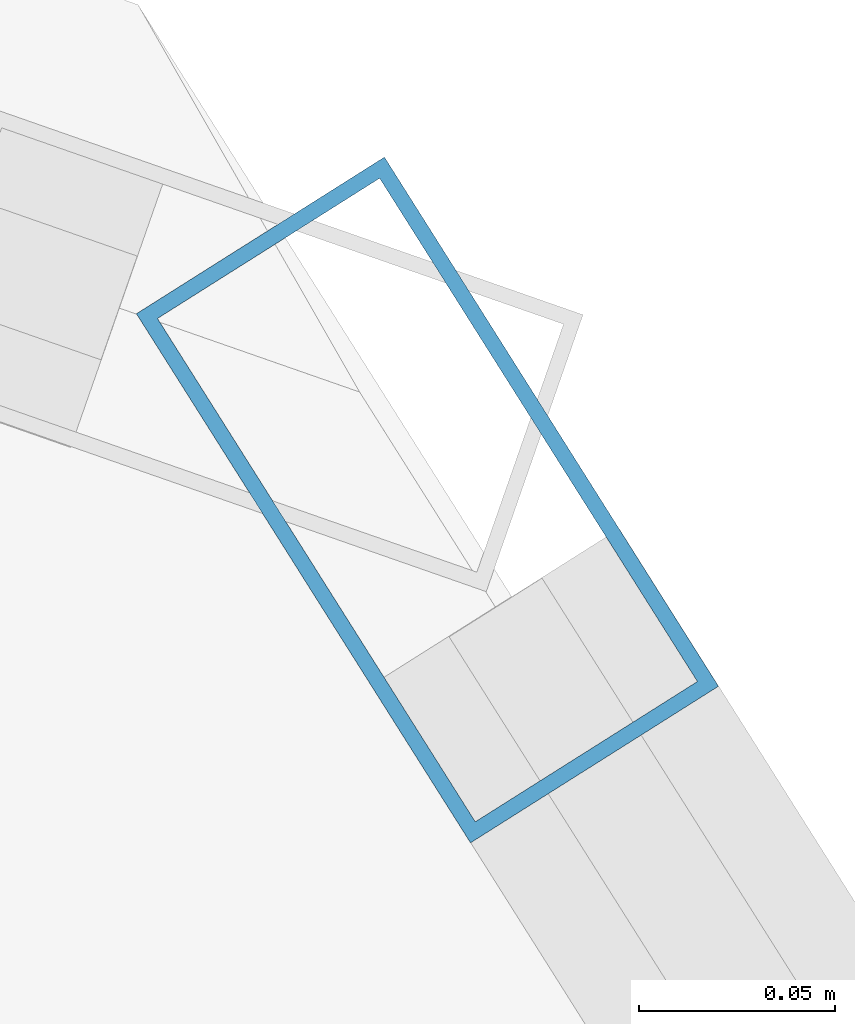
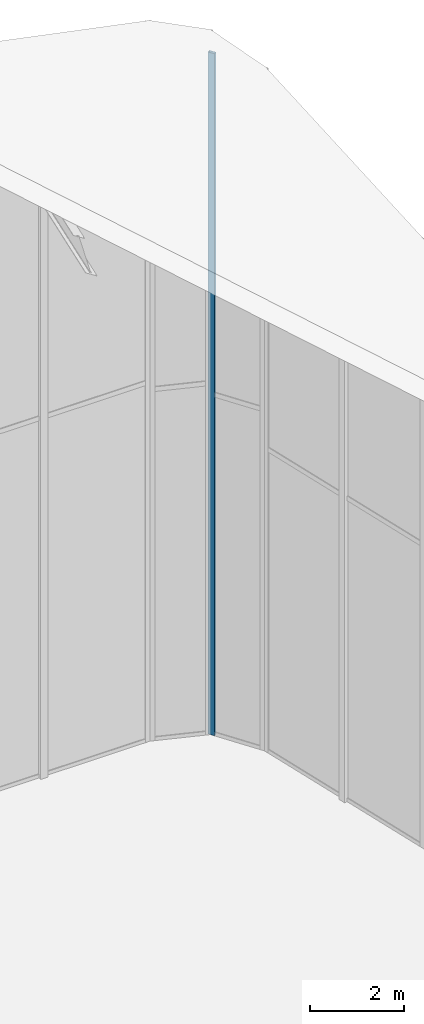
# One storey, part 68 of 74: 1 member, 1 element without a shape of its own.
"""IFC4 building model written with IfcOpenShell, lengths in metres."""

from ifc_helpers import new_model, si_unit, direction, frame, origin, origin_2d, place, context, subcontext, project, spatial, hollow_rectangle, extrude, material, layer, layer_set, material_profile, profile_set, type_object, element, aggregate, save


model = new_model("IFC4")

# Units and contexts
model_context = context("Model", 3, precision=1e-05, world=origin(), true_north=direction((0.0, 1.0)))
body_context = subcontext(model_context, "Body", "Model", "MODEL_VIEW")
ifc_project = project(units=[si_unit("LENGTHUNIT", "METRE"), si_unit("AREAUNIT", "SQUARE_METRE"), si_unit("VOLUMEUNIT", "CUBIC_METRE"), si_unit("PLANEANGLEUNIT", "RADIAN"), si_unit("MASSUNIT", "GRAM", prefix="KILO")], contexts=[model_context])

# Site, building, storey
site_placement = place(None, origin())
site = spatial("IfcSite", under=ifc_project, at=site_placement, CompositionType="ELEMENT")
building_placement = place(site_placement, origin())
building = spatial("IfcBuilding", under=site, at=building_placement, Name="Keshet Zoharim Tower", CompositionType="ELEMENT")
storey_placement = place(building_placement, frame((0.0, 0.0, 320.0)))
storey = spatial("IfcBuildingStorey", under=building, at=storey_placement, Name="RF", CompositionType="ELEMENT", Elevation=320.0)

# Curtain wall, member
ifc_material = material(Name="Aluminium 6063-T6", Category="aluminium")
ifc_layer = layer(ifc_material, 0.260009765625)
ifc_layer_set = layer_set([ifc_layer], Name="Aluminium 6063-T6")
curtain_wall_type = type_object("IfcCurtainWallType", Name="CW-SYS-06", PredefinedType="NOTDEFINED", material=ifc_layer_set)
curtain_wall_placement = place(storey_placement, origin())
curtain_wall = element("IfcCurtainWall", 1, at=curtain_wall_placement, inside=storey, type_object=curtain_wall_type, Name="Slanted Crown Curtain Wall 16", PredefinedType="NOTDEFINED")
ifc_material_profile = material_profile(ifc_material, hollow_rectangle(XDim=0.074951171875, YDim=0.159912109375, WallThickness=0.00390625, at=origin_2d()), Name="MUL-75x160")
ifc_profile_set = profile_set([ifc_material_profile], Name="Aluminium 6063-T6")
member_type = type_object("IfcMemberType", Name="CWM-M15", PredefinedType="MULLION", material=ifc_profile_set)
member_placement = place(storey_placement, frame((38.67138671875, 53.4375, 0.0), z_axis=(0.0, 0.0, 1.0), x_axis=(0.845560976183, 0.533878858502, 0.0)))
member = element("IfcMember", 2, at=member_placement, type_object=member_type, Name="CW-06 mullion 1", PredefinedType="MULLION", context=body_context, shape_type="SweptSolid", body=[
    extrude(hollow_rectangle(XDim=0.074951171875, YDim=0.159912109375, WallThickness=0.00390625, at=origin_2d()), origin(), (0.0, 0.0, 1.0), 17.6240234375),
])
aggregate(curtain_wall, [member])

save(model, "model.ifc")
